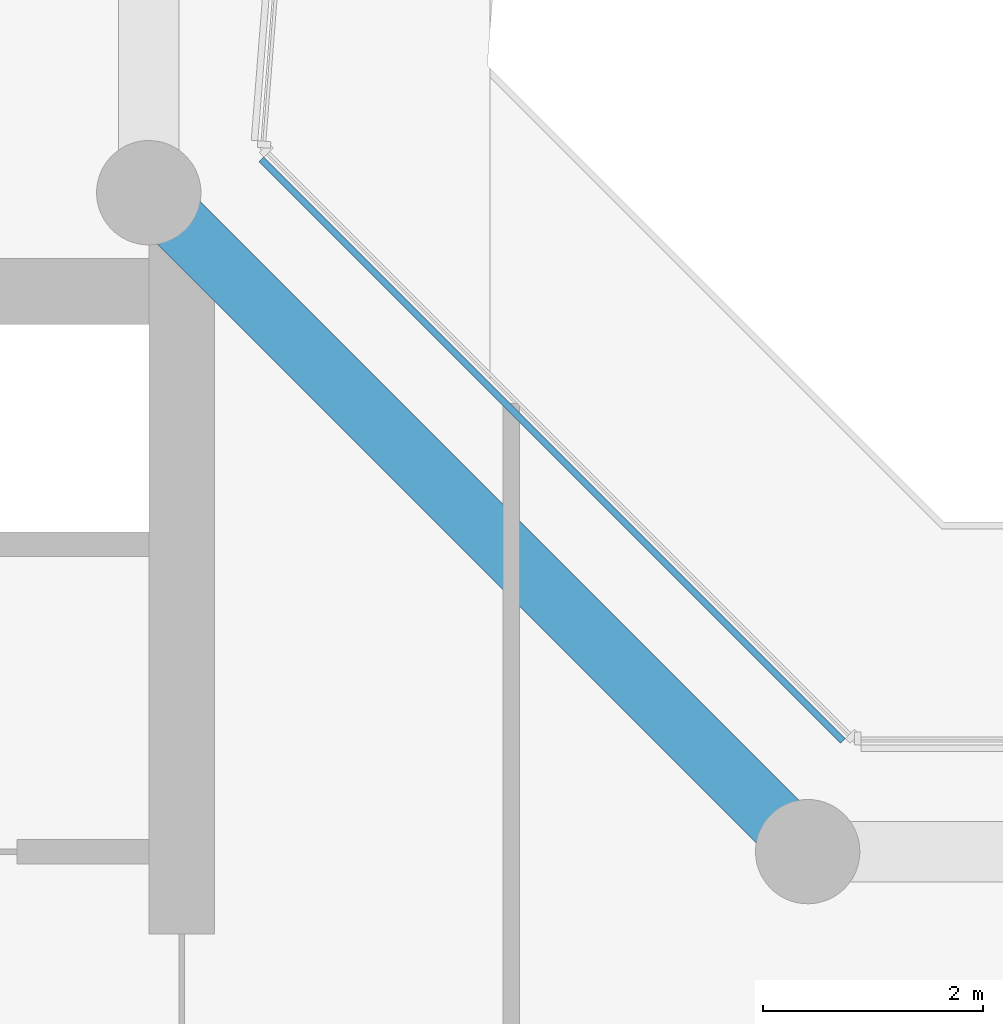
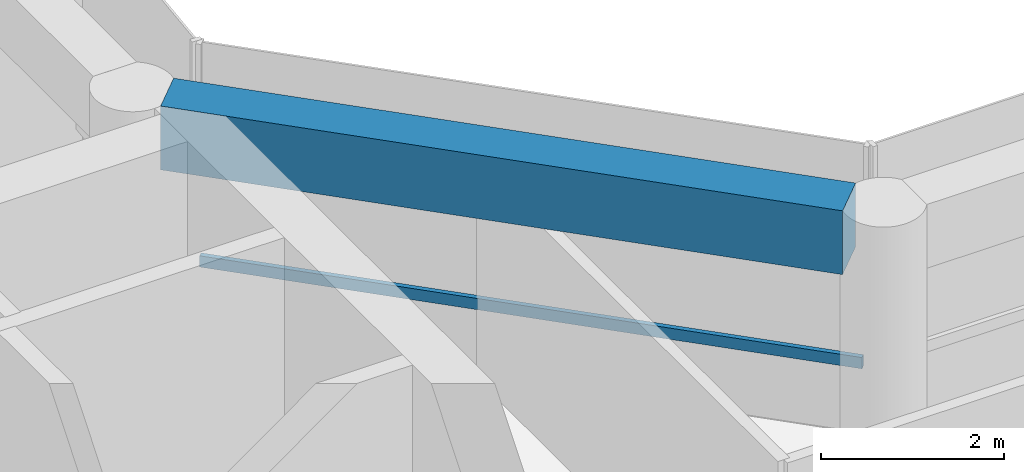
# One storey, part 6 of 22: 1 beam, 1 member, 1 element without a shape of its own.
"""IFC4 building model written with IfcOpenShell, lengths in metres."""

from ifc_helpers import new_model, si_unit, direction, frame, origin, origin_2d, place, context, subcontext, project, spatial, rectangle, extrude, material, layer, layer_set, material_profile, profile_set, type_object, element, aggregate, save


model = new_model("IFC4")

# Units and contexts
model_context = context("Model", 3, precision=1e-05, world=origin(), true_north=direction((0.0, 1.0)))
body_context = subcontext(model_context, "Body", "Model", "MODEL_VIEW")
ifc_project = project(units=[si_unit("LENGTHUNIT", "METRE"), si_unit("AREAUNIT", "SQUARE_METRE"), si_unit("VOLUMEUNIT", "CUBIC_METRE"), si_unit("PLANEANGLEUNIT", "RADIAN"), si_unit("MASSUNIT", "GRAM", prefix="KILO")], contexts=[model_context])

# Site, building, storey
site_placement = place(None, origin())
site = spatial("IfcSite", under=ifc_project, at=site_placement, CompositionType="ELEMENT")
building_placement = place(site_placement, origin())
building = spatial("IfcBuilding", under=site, at=building_placement, Name="Welwitschia Terrace Campus", CompositionType="ELEMENT")
storey_placement = place(building_placement, frame((0.0, 0.0, 150.800048828125)))
storey = spatial("IfcBuildingStorey", under=building, at=storey_placement, Name="L33", CompositionType="ELEMENT", Elevation=150.800048828125)

# Beam
ifc_material_1 = material(Name="Concrete C50/60", Category="concrete")
ifc_material_profile_1 = material_profile(ifc_material_1, rectangle(XDim=0.550048828125, YDim=0.85009765625, at=origin_2d()))
ifc_profile_set_1 = profile_set([ifc_material_profile_1], Name="Concrete C50/60")
beam_type = type_object("IfcBeamType", Name="Ring spandrel 550x850", PredefinedType="SPANDREL", material=ifc_profile_set_1)
beam_placement = place(storey_placement, frame((29.7255859375, 20.2744140625, 3.425048828125), z_axis=(-0.707106781187, 0.707106781187, 0.0), x_axis=(-0.707106781187, -0.707106781187, 0.0)))
element("IfcBeam", 1, at=beam_placement, inside=storey, type_object=beam_type, Name="Spandrel SP3", PredefinedType="SPANDREL", context=body_context, shape_type="SweptSolid", body=[
    extrude(rectangle(XDim=0.550048828125, YDim=0.85009765625, at=origin_2d()), origin(), (0.0, 0.0, 1.0), 7.709228515625),
])

# Curtain wall, member
ifc_material_2 = material(Name="Bronze anodised aluminium", Category="aluminium")
ifc_layer = layer(ifc_material_2, 0.1201171875)
ifc_layer_set = layer_set([ifc_layer], Name="Bronze anodised aluminium")
curtain_wall_type = type_object("IfcCurtainWallType", Name="Curtain wall CW2 tower 6000", PredefinedType="NOTDEFINED", material=ifc_layer_set)
curtain_wall_placement = place(storey_placement, origin())
curtain_wall = element("IfcCurtainWall", 2, at=curtain_wall_placement, inside=storey, type_object=curtain_wall_type, Name="CW L33.8.0", PredefinedType="NOTDEFINED")
ifc_material_3 = material(Name="Bronze anodised aluminium", Category="aluminium")
ifc_material_profile_2 = material_profile(ifc_material_3, rectangle(XDim=0.06005859375, YDim=0.14990234375, at=origin_2d()))
ifc_profile_set_2 = profile_set([ifc_material_profile_2], Name="Bronze anodised aluminium")
member_type = type_object("IfcMemberType", Name="Transom 60x150", PredefinedType="USERDEFINED", material=ifc_profile_set_2)
member_placement = place(storey_placement, frame((30.320556640625, 21.0087890625, 1.0), z_axis=(-0.707106781187, 0.707106781187, 0.0), x_axis=(-0.707106781187, -0.707106781187, 0.0)))
member = element("IfcMember", 3, at=member_placement, type_object=member_type, Name="Transom L33.8.0", ObjectType="TRANSOM", PredefinedType="USERDEFINED", context=body_context, shape_type="SweptSolid", body=[
    extrude(rectangle(XDim=0.06005859375, YDim=0.14990234375, at=origin_2d()), origin(), (0.0, 0.0, 1.0), 7.48681640625),
])
aggregate(curtain_wall, [member])

save(model, "model.ifc")
